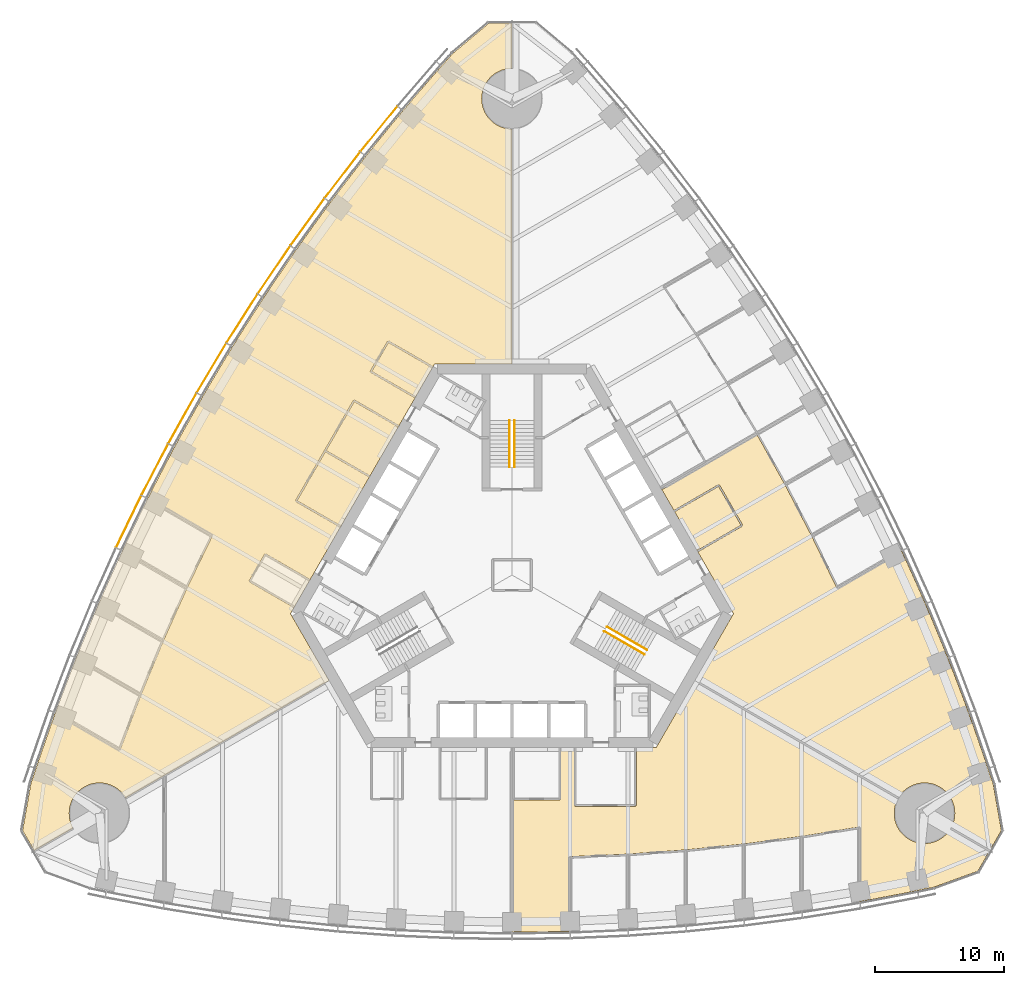
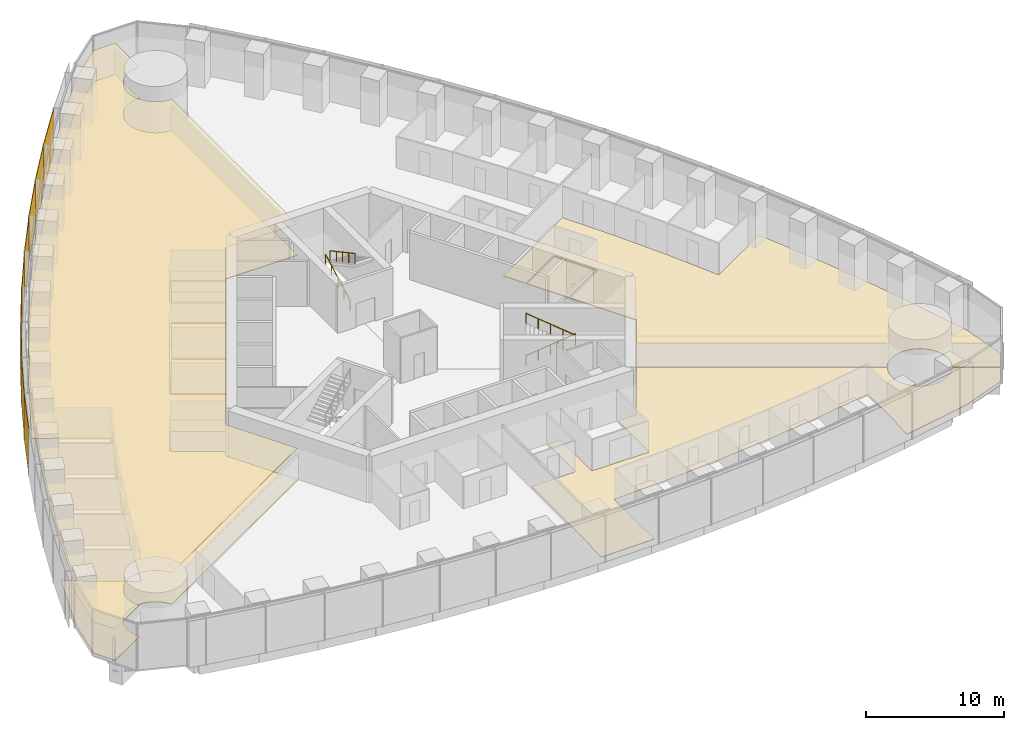
# One storey, part 16 of 19: 9 shading devices, 8 coverings, 4 railings.
"""IFC4 building model written with IfcOpenShell, lengths in metres."""

from ifc_helpers import new_model, si_unit, direction, frame, origin, origin_2d, place, context, subcontext, project, spatial, polyline, rectangle, circle, outline, extrude, material, layer, layer_set, type_object, element, save


model = new_model("IFC4")

# Units and contexts
model_context = context("Model", 3, precision=1e-05, world=origin(), true_north=direction((0.0, 1.0)))
body_context = subcontext(model_context, "Body", "Model", "MODEL_VIEW")
ifc_project = project(units=[si_unit("LENGTHUNIT", "METRE"), si_unit("AREAUNIT", "SQUARE_METRE"), si_unit("VOLUMEUNIT", "CUBIC_METRE"), si_unit("PLANEANGLEUNIT", "RADIAN"), si_unit("MASSUNIT", "GRAM", prefix="KILO")], contexts=[model_context])

# Site, building, storey
site_placement = place(None, origin())
site = spatial("IfcSite", under=ifc_project, at=site_placement, CompositionType="ELEMENT")
building_placement = place(site_placement, origin())
building = spatial("IfcBuilding", under=site, at=building_placement, Name="Trefoil Bronze Tower", CompositionType="ELEMENT")
storey_placement = place(building_placement, frame((0.0, 0.0, 45.89990234375)))
storey = spatial("IfcBuildingStorey", under=building, at=storey_placement, Name="L10", CompositionType="ELEMENT", Elevation=45.89990234375)

# Shading devices
ifc_material_1 = material(Name="Perforated bronze sheet", Category="bronze")
ifc_layer_1 = layer(ifc_material_1, 0.0400390625)
ifc_layer_set_1 = layer_set([ifc_layer_1], Name="Bronze solar screen panel")
shading_device_type = type_object("IfcShadingDeviceType", Name="Bronze solar screen panel", PredefinedType="SHUTTER", material=ifc_layer_set_1)
shading_device_1_placement = place(storey_placement, frame((-10.338623046875, 34.6474609375, 0.050048828125), z_axis=(0.0, 0.0, 1.0), x_axis=(-0.631810729457, -0.775122701346, 0.0)))
element("IfcShadingDevice", 1, at=shading_device_1_placement, inside=storey, type_object=shading_device_type, Name="Solar screen CW-A L10 F3 bay 3", PredefinedType="SHUTTER", context=body_context, shape_type="SweptSolid", body=[
    extrude(rectangle(XDim=4.5283203125, YDim=0.0400390625, at=origin_2d()), origin(), (0.0, 0.0, 1.0), 4.10009765625),
])
shading_device_2_placement = place(storey_placement, frame((-13.170166015625, 31.06787109375, 0.050048828125), z_axis=(0.0, 0.0, 1.0), x_axis=(-0.608807670879, -0.793317855515, 0.0)))
element("IfcShadingDevice", 2, at=shading_device_2_placement, inside=storey, type_object=shading_device_type, Name="Solar screen CW-A L10 F3 bay 4", PredefinedType="SHUTTER", context=body_context, shape_type="SweptSolid", body=[
    extrude(rectangle(XDim=4.5087890625, YDim=0.0400390625, at=origin_2d()), origin(), (0.0, 0.0, 1.0), 4.10009765625),
])
shading_device_3_placement = place(storey_placement, frame((-15.88525390625, 27.421142578125, 0.050048828125), z_axis=(0.0, 0.0, 1.0), x_axis=(-0.585372522213, -0.810764460394, 0.0)))
element("IfcShadingDevice", 3, at=shading_device_3_placement, inside=storey, type_object=shading_device_type, Name="Solar screen CW-A L10 F3 bay 5", PredefinedType="SHUTTER", context=body_context, shape_type="SweptSolid", body=[
    extrude(rectangle(XDim=4.493408203125, YDim=0.0400390625, at=origin_2d()), origin(), (0.0, 0.0, 1.0), 4.10009765625),
])
shading_device_4_placement = place(storey_placement, frame((-18.48486328125, 23.707763671875, 0.050048828125), z_axis=(0.0, 0.0, 1.0), x_axis=(-0.56150968077, -0.827470167681, 0.0)))
element("IfcShadingDevice", 4, at=shading_device_4_placement, inside=storey, type_object=shading_device_type, Name="Solar screen CW-A L10 F3 bay 6", PredefinedType="SHUTTER", context=body_context, shape_type="SweptSolid", body=[
    extrude(rectangle(XDim=4.48193359375, YDim=0.0400390625, at=origin_2d()), origin(), (0.0, 0.0, 1.0), 4.10009765625),
])
shading_device_5_placement = place(storey_placement, frame((-20.97021484375, 19.928466796875, 0.050048828125), z_axis=(0.0, 0.0, 1.0), x_axis=(-0.537222392469, -0.843440632783, 0.0)))
element("IfcShadingDevice", 5, at=shading_device_5_placement, inside=storey, type_object=shading_device_type, Name="Solar screen CW-A L10 F3 bay 7", PredefinedType="SHUTTER", context=body_context, shape_type="SweptSolid", body=[
    extrude(rectangle(XDim=4.474365234375, YDim=0.0400390625, at=origin_2d()), origin(), (0.0, 0.0, 1.0), 4.10009765625),
])
for number, where, z_axis, x_axis, name in (
    (6, (-23.341552734375, 16.083251953125, 0.050048828125), (0.0, 0.0, 1.0), (-0.51251279404, -0.858679588639, 0.0), "Solar screen CW-A L10 F3 bay 8"),
    (7, (-25.599365234375, 12.172607421875, 0.050048828125), (0.0, 0.0, 1.0), (-0.487381940453, -0.873188893722, 0.0), "Solar screen CW-A L10 F3 bay 9"),
):
    element("IfcShadingDevice", number, at=place(storey_placement, frame(where, z_axis=z_axis, x_axis=x_axis)), inside=storey, type_object=shading_device_type, Name=name, PredefinedType="SHUTTER", context=body_context, shape_type="SweptSolid", body=[
        extrude(rectangle(XDim=4.470458984375, YDim=0.0400390625, at=origin_2d()), origin(), (0.0, 0.0, 1.0), 4.10009765625),
    ])
shading_device_6_placement = place(storey_placement, frame((-27.74365234375, 8.1962890625, 0.050048828125), z_axis=(0.0, 0.0, 1.0), x_axis=(-0.46182981834, -0.886968555752, 0.0)))
element("IfcShadingDevice", 8, at=shading_device_6_placement, inside=storey, type_object=shading_device_type, Name="Solar screen CW-A L10 F3 bay 10", PredefinedType="SHUTTER", context=body_context, shape_type="SweptSolid", body=[
    extrude(rectangle(XDim=4.474365234375, YDim=0.0400390625, at=origin_2d()), origin(), (0.0, 0.0, 1.0), 4.10009765625),
])
shading_device_7_placement = place(storey_placement, frame((-29.77392578125, 4.154541015625, 0.050048828125), z_axis=(0.0, 0.0, 1.0), x_axis=(-0.4358553457, -0.900016731858, 0.0)))
element("IfcShadingDevice", 9, at=shading_device_7_placement, inside=storey, type_object=shading_device_type, Name="Solar screen CW-A L10 F3 bay 11", PredefinedType="SHUTTER", context=body_context, shape_type="SweptSolid", body=[
    extrude(rectangle(XDim=4.48193359375, YDim=0.0400390625, at=origin_2d()), origin(), (0.0, 0.0, 1.0), 4.10009765625),
])

# Railings
ifc_material_2 = material(Name="Steel handrail", Category="steel")
railing_type = type_object("IfcRailingType", Name="Handrail 900", PredefinedType="HANDRAIL", material=ifc_material_2)
railing_1_placement = place(storey_placement, frame((7.365966796875, -4.021728515625, 0.16162109375)))
element("IfcRailing", 10, at=railing_1_placement, inside=storey, type_object=railing_type, Name="Handrail ST1 flight 1 L10", PredefinedType="HANDRAIL", context=body_context, shape_type="SweptSolid", body=[
    extrude(circle(Radius=0.02392578125, at=origin_2d()), frame((0.0, 0.0, 0.8759765625), z_axis=(0.76250339821, -0.440245697338, 0.474101564745), x_axis=(0.500012057535, 0.866018442252, 0.0)), (0.0, 0.0, 1.0), 4.088623046875),
    extrude(circle(Radius=0.02099609375, at=origin_2d()), origin(), (0.0, 0.0, 1.0), 0.851806640625),
    extrude(circle(Radius=0.02099609375, at=origin_2d()), frame((0.779296875, -0.449951171875, 0.484619140625)), (0.0, 0.0, 1.0), 0.851806640625),
    extrude(circle(Radius=0.02099609375, at=origin_2d()), frame((1.558837890625, -0.89990234375, 0.96923828125)), (0.0, 0.0, 1.0), 0.851806640625),
    extrude(circle(Radius=0.02099609375, at=origin_2d()), frame((2.33837890625, -1.35009765625, 1.453857421875)), (0.0, 0.0, 1.0), 0.851806640625),
    extrude(circle(Radius=0.02099609375, at=origin_2d()), frame((3.11767578125, -1.800048828125, 1.9384765625)), (0.0, 0.0, 1.0), 0.851806640625),
])
railing_2_placement = place(storey_placement, frame((10.28369140625, -6.168212890625, 2.26171875)))
element("IfcRailing", 11, at=railing_2_placement, inside=storey, type_object=railing_type, Name="Handrail ST1 flight 2 L10", PredefinedType="HANDRAIL", context=body_context, shape_type="SweptSolid", body=[
    extrude(circle(Radius=0.02392578125, at=origin_2d()), frame((0.0, 0.0, 0.8759765625), z_axis=(-0.76250339821, 0.440245697338, 0.474101564745), x_axis=(-0.500012057535, -0.866018442252, 0.0)), (0.0, 0.0, 1.0), 4.088623046875),
    extrude(circle(Radius=0.02099609375, at=origin_2d()), origin(), (0.0, 0.0, 1.0), 0.851806640625),
    extrude(circle(Radius=0.02099609375, at=origin_2d()), frame((-0.779296875, 0.449951171875, 0.484619140625)), (0.0, 0.0, 1.0), 0.851806640625),
    extrude(circle(Radius=0.02099609375, at=origin_2d()), frame((-1.558837890625, 0.89990234375, 0.96923828125)), (0.0, 0.0, 1.0), 0.851806640625),
    extrude(circle(Radius=0.02099609375, at=origin_2d()), frame((-2.33837890625, 1.35009765625, 1.453857421875)), (0.0, 0.0, 1.0), 0.851806640625),
    extrude(circle(Radius=0.02099609375, at=origin_2d()), frame((-3.11767578125, 1.800048828125, 1.9384765625)), (0.0, 0.0, 1.0), 0.851806640625),
])
railing_3_placement = place(storey_placement, frame((-0.199951171875, 8.389892578125, 0.16162109375)))
element("IfcRailing", 12, at=railing_3_placement, inside=storey, type_object=railing_type, Name="Handrail ST2 flight 1 L10", PredefinedType="HANDRAIL", context=body_context, shape_type="SweptSolid", body=[
    extrude(circle(Radius=0.02392578125, at=origin_2d()), frame((0.0, 0.0, 0.8759765625), z_axis=(0.0, 0.880474934443, 0.474092701714), x_axis=(-1.0, 0.0, 0.0)), (0.0, 0.0, 1.0), 4.0888671875),
    extrude(circle(Radius=0.02099609375, at=origin_2d()), origin(), (0.0, 0.0, 1.0), 0.851806640625),
    extrude(circle(Radius=0.02099609375, at=origin_2d()), frame((0.0, 0.89990234375, 0.484619140625)), (0.0, 0.0, 1.0), 0.851806640625),
    extrude(circle(Radius=0.02099609375, at=origin_2d()), frame((0.0, 1.800048828125, 0.96923828125)), (0.0, 0.0, 1.0), 0.851806640625),
    extrude(circle(Radius=0.02099609375, at=origin_2d()), frame((0.0, 2.7001953125, 1.453857421875)), (0.0, 0.0, 1.0), 0.851806640625),
    extrude(circle(Radius=0.02099609375, at=origin_2d()), frame((0.0, 3.60009765625, 1.9384765625)), (0.0, 0.0, 1.0), 0.851806640625),
])
railing_4_placement = place(storey_placement, frame((0.199951171875, 11.989990234375, 2.26171875)))
element("IfcRailing", 13, at=railing_4_placement, inside=storey, type_object=railing_type, Name="Handrail ST2 flight 2 L10", PredefinedType="HANDRAIL", context=body_context, shape_type="SweptSolid", body=[
    extrude(circle(Radius=0.02392578125, at=origin_2d()), frame((0.0, 0.0, 0.8759765625), z_axis=(0.0, -0.880474934443, 0.474092701714), x_axis=(1.0, 0.0, 0.0)), (0.0, 0.0, 1.0), 4.0888671875),
    extrude(circle(Radius=0.02099609375, at=origin_2d()), origin(), (0.0, 0.0, 1.0), 0.851806640625),
    extrude(circle(Radius=0.02099609375, at=origin_2d()), frame((0.0, -0.89990234375, 0.484619140625)), (0.0, 0.0, 1.0), 0.851806640625),
    extrude(circle(Radius=0.02099609375, at=origin_2d()), frame((0.0, -1.800048828125, 0.96923828125)), (0.0, 0.0, 1.0), 0.851806640625),
    extrude(circle(Radius=0.02099609375, at=origin_2d()), frame((0.0, -2.7001953125, 1.453857421875)), (0.0, 0.0, 1.0), 0.851806640625),
    extrude(circle(Radius=0.02099609375, at=origin_2d()), frame((0.0, -3.60009765625, 1.9384765625)), (0.0, 0.0, 1.0), 0.851806640625),
])

# Coverings
ifc_material_3 = material(Name="Acoustic ceiling panels", Category="mineral fibre")
ifc_layer_2 = layer(ifc_material_3, 0.02001953125)
ifc_layer_set_2 = layer_set([ifc_layer_2], Name="Office ceiling 20")
covering_type_1 = type_object("IfcCoveringType", Name="Office ceiling 20", PredefinedType="CEILING", material=ifc_layer_set_2)
covering_1_placement = place(storey_placement, frame((0.0, 0.0, 2.900146484375)))
element("IfcCovering", 14, at=covering_1_placement, inside=storey, type_object=covering_type_1, Name="Ceiling L10 Open-plan office F3", PredefinedType="CEILING", context=body_context, shape_type="SweptSolid", body=[
    extrude(outline(polyline([(-36.9814453125, -15.021728515625), (-35.47998046875, -10.6923828125), (-33.860107421875, -6.431640625), (-32.123291015625, -2.23828125), (-30.271240234375, 1.888671875), (-28.3046875, 5.949462890625), (-26.224609375, 9.944580078125), (-24.031005859375, 13.87451171875), (-21.724609375, 17.73876953125), (-19.3046875, 21.537841796875), (-16.771240234375, 25.271484375), (-14.123291015625, 28.938720703125), (-11.360107421875, 32.53955078125), (-8.47998046875, 36.072998046875), (-5.4814453125, 39.537841796875), (-4.618896484375, 40.497314453125), (-1.82421875, 42.84228515625), (-0.01611328125, 42.84228515625), (-0.014892578125, 39.349609375), (-0.115234375, 39.34716796875), (-0.230224609375, 39.338623046875), (-0.3447265625, 39.32470703125), (-0.45849609375, 39.3046875), (-0.571044921875, 39.279541015625), (-0.68212890625, 39.248779296875), (-0.791748046875, 39.212646484375), (-0.8994140625, 39.171142578125), (-1.0048828125, 39.12451171875), (-1.10791015625, 39.072509765625), (-1.2080078125, 39.015625), (-1.3056640625, 38.9541015625), (-1.39990234375, 38.887451171875), (-1.49072265625, 38.816650390625), (-1.578125, 38.7412109375), (-1.66162109375, 38.66162109375), (-1.7412109375, 38.578125), (-1.816650390625, 38.49072265625), (-1.887451171875, 38.39990234375), (-1.9541015625, 38.3056640625), (-2.015625, 38.2080078125), (-2.072509765625, 38.10791015625), (-2.12451171875, 38.0048828125), (-2.171142578125, 37.8994140625), (-2.212646484375, 37.791748046875), (-2.248779296875, 37.68212890625), (-2.279541015625, 37.571044921875), (-2.3046875, 37.45849609375), (-2.32470703125, 37.3447265625), (-2.338623046875, 37.230224609375), (-2.34716796875, 37.115234375), (-2.35009765625, 37.0), (-2.34716796875, 36.884765625), (-2.338623046875, 36.769775390625), (-2.32470703125, 36.6552734375), (-2.3046875, 36.54150390625), (-2.279541015625, 36.428955078125), (-2.248779296875, 36.31787109375), (-2.212646484375, 36.208251953125), (-2.171142578125, 36.1005859375), (-2.12451171875, 35.9951171875), (-2.072509765625, 35.89208984375), (-2.015625, 35.7919921875), (-1.9541015625, 35.6943359375), (-1.887451171875, 35.60009765625), (-1.816650390625, 35.50927734375), (-1.7412109375, 35.421875), (-1.66162109375, 35.33837890625), (-1.578125, 35.2587890625), (-1.49072265625, 35.183349609375), (-1.39990234375, 35.112548828125), (-1.3056640625, 35.0458984375), (-1.2080078125, 34.984375), (-1.10791015625, 34.927490234375), (-1.0048828125, 34.87548828125), (-0.8994140625, 34.828857421875), (-0.791748046875, 34.787353515625), (-0.68212890625, 34.751220703125), (-0.571044921875, 34.720458984375), (-0.45849609375, 34.6953125), (-0.3447265625, 34.67529296875), (-0.230224609375, 34.661376953125), (-0.115234375, 34.65283203125), (-0.012939453125, 34.650390625), (-0.006103515625, 16.39990234375), (-6.00439453125, 16.39990234375), (-17.205078125, -3.0), (-14.205810546875, -8.194580078125), (-30.0146484375, -17.31396484375), (-30.02734375, -17.2919921875), (-30.089111328125, -17.1943359375), (-30.155517578125, -17.10009765625), (-30.226318359375, -17.00927734375), (-30.3017578125, -16.921875), (-30.381103515625, -16.83837890625), (-30.46484375, -16.7587890625), (-30.552001953125, -16.683349609375), (-30.64306640625, -16.612548828125), (-30.7373046875, -16.5458984375), (-30.834716796875, -16.484375), (-30.935302734375, -16.427490234375), (-31.0380859375, -16.37548828125), (-31.1435546875, -16.328857421875), (-31.251220703125, -16.287353515625), (-31.36083984375, -16.251220703125), (-31.471923828125, -16.220458984375), (-31.58447265625, -16.1953125), (-31.697998046875, -16.17529296875), (-31.8125, -16.161376953125), (-31.927490234375, -16.15283203125), (-32.04296875, -16.14990234375), (-32.158203125, -16.15283203125), (-32.273193359375, -16.161376953125), (-32.3876953125, -16.17529296875), (-32.50146484375, -16.1953125), (-32.614013671875, -16.220458984375), (-32.72509765625, -16.251220703125), (-32.834716796875, -16.287353515625), (-32.942138671875, -16.328857421875), (-33.047607421875, -16.37548828125), (-33.150634765625, -16.427490234375), (-33.251220703125, -16.484375), (-33.348388671875, -16.5458984375), (-33.44287109375, -16.612548828125), (-33.53369140625, -16.683349609375), (-33.62109375, -16.7587890625), (-33.70458984375, -16.83837890625), (-33.7841796875, -16.921875), (-33.859619140625, -17.00927734375), (-33.930419921875, -17.10009765625), (-33.996826171875, -17.1943359375), (-34.05859375, -17.2919921875), (-34.115478515625, -17.39208984375), (-34.167236328125, -17.4951171875), (-34.214111328125, -17.6005859375), (-34.255615234375, -17.708251953125), (-34.291748046875, -17.81787109375), (-34.322509765625, -17.928955078125), (-34.347900390625, -18.04150390625), (-34.367431640625, -18.1552734375), (-34.381591796875, -18.269775390625), (-34.39013671875, -18.384765625), (-34.392822265625, -18.5), (-34.39013671875, -18.615234375), (-34.381591796875, -18.730224609375), (-34.367431640625, -18.8447265625), (-34.347900390625, -18.95849609375), (-34.322509765625, -19.071044921875), (-34.291748046875, -19.18212890625), (-34.255615234375, -19.291748046875), (-34.214111328125, -19.3994140625), (-34.167236328125, -19.5048828125), (-34.115478515625, -19.60791015625), (-34.084716796875, -19.661865234375), (-37.110595703125, -21.4072265625), (-38.0146484375, -19.841552734375), (-37.381103515625, -16.248779296875), (-36.9814453125, -15.021728515625)])), origin(), (0.0, 0.0, 1.0), 0.02001953125),
])
ifc_material_4 = material(Name="Raised access floor panels", Category="steel")
ifc_layer_3 = layer(ifc_material_4, 0.050048828125)
ifc_layer_set_3 = layer_set([ifc_layer_3], Name="Raised access floor 150")
covering_type_2 = type_object("IfcCoveringType", Name="Raised access floor 150", PredefinedType="FLOORING", material=ifc_layer_set_3)
covering_2_placement = place(storey_placement, frame((0.0, 0.0, 0.10009765625)))
element("IfcCovering", 15, at=covering_2_placement, inside=storey, type_object=covering_type_2, Name="Raised floor L10 Open-plan office F1", PredefinedType="FLOORING", context=body_context, shape_type="SweptSolid", body=[
    extrude(outline(polyline([(27.0, -23.77587890625), (27.06005859375, -23.77587890625), (27.06005859375, -19.63037109375), (27.0, -19.63037109375), (26.990478515625, -19.571044921875), (22.4912109375, -20.298583984375), (17.992919921875, -20.89111328125), (13.494873046875, -21.350341796875), (8.99658203125, -21.677490234375), (4.497314453125, -21.87353515625), (4.5, -21.933349609375), (4.43994140625, -21.933349609375), (4.43994140625, -26.102783203125), (4.5, -26.102783203125), (4.5, -27.683349609375), (0.0009765625, -27.748779296875), (0.0009765625, -26.168701171875), (0.074951171875, -26.168701171875), (0.074951171875, -17.39990234375), (0.125, -17.39990234375), (0.125, -17.4599609375), (3.72509765625, -17.4599609375), (3.72509765625, -17.39990234375), (3.784912109375, -17.39990234375), (3.784912109375, -13.39990234375), (4.840087890625, -13.39990234375), (4.840087890625, -17.89990234375), (4.89990234375, -17.89990234375), (4.89990234375, -17.9599609375), (9.60009765625, -17.9599609375), (9.60009765625, -17.89990234375), (9.659912109375, -17.89990234375), (9.659912109375, -13.39990234375), (11.20068359375, -13.39990234375), (14.19970703125, -8.205322265625), (30.001953125, -17.336669921875), (29.970458984375, -17.39208984375), (29.918701171875, -17.4951171875), (29.871826171875, -17.6005859375), (29.830322265625, -17.708251953125), (29.794189453125, -17.81787109375), (29.763427734375, -17.928955078125), (29.738037109375, -18.04150390625), (29.718505859375, -18.1552734375), (29.704345703125, -18.269775390625), (29.69580078125, -18.384765625), (29.69287109375, -18.5), (29.69580078125, -18.615234375), (29.704345703125, -18.730224609375), (29.718505859375, -18.8447265625), (29.738037109375, -18.95849609375), (29.763427734375, -19.071044921875), (29.794189453125, -19.18212890625), (29.830322265625, -19.291748046875), (29.871826171875, -19.3994140625), (29.918701171875, -19.5048828125), (29.970458984375, -19.60791015625), (30.02734375, -19.7080078125), (30.089111328125, -19.8056640625), (30.155517578125, -19.89990234375), (30.226318359375, -19.99072265625), (30.3017578125, -20.078125), (30.381103515625, -20.16162109375), (30.46484375, -20.2412109375), (30.552001953125, -20.316650390625), (30.64306640625, -20.387451171875), (30.7373046875, -20.4541015625), (30.834716796875, -20.515625), (30.935302734375, -20.572509765625), (31.0380859375, -20.62451171875), (31.1435546875, -20.671142578125), (31.251220703125, -20.712646484375), (31.36083984375, -20.748779296875), (31.471923828125, -20.779541015625), (31.58447265625, -20.8046875), (31.697998046875, -20.82470703125), (31.8125, -20.838623046875), (31.927490234375, -20.84716796875), (32.04296875, -20.85009765625), (32.158203125, -20.84716796875), (32.273193359375, -20.838623046875), (32.3876953125, -20.82470703125), (32.50146484375, -20.8046875), (32.614013671875, -20.779541015625), (32.72509765625, -20.748779296875), (32.834716796875, -20.712646484375), (32.942138671875, -20.671142578125), (33.047607421875, -20.62451171875), (33.150634765625, -20.572509765625), (33.251220703125, -20.515625), (33.348388671875, -20.4541015625), (33.44287109375, -20.387451171875), (33.53369140625, -20.316650390625), (33.62109375, -20.2412109375), (33.70458984375, -20.16162109375), (33.7841796875, -20.078125), (33.859619140625, -19.99072265625), (33.930419921875, -19.89990234375), (33.996826171875, -19.8056640625), (34.0703125, -19.6875), (37.094482421875, -21.43505859375), (36.190673828125, -23.0009765625), (32.762451171875, -24.248779296875), (31.5, -24.51611328125), (27.0, -25.38037109375), (27.0, -23.77587890625)])), origin(), (0.0, 0.0, 1.0), 0.050048828125),
])
covering_3_placement = place(storey_placement, frame((0.0, 0.0, 0.10009765625)))
element("IfcCovering", 16, at=covering_3_placement, inside=storey, type_object=covering_type_2, Name="Raised floor L10 Meeting room F2", PredefinedType="FLOORING", context=body_context, shape_type="SweptSolid", body=[
    extrude(outline(polyline([(12.634765625, 4.916015625), (16.046875, 6.885986328125), (17.786865234375, 3.872314453125), (14.374755859375, 1.902099609375), (12.634765625, 4.916015625)])), origin(), (0.0, 0.0, 1.0), 0.050048828125),
])
covering_4_placement = place(storey_placement, frame((0.0, 0.0, 0.10009765625)))
element("IfcCovering", 17, at=covering_4_placement, inside=storey, type_object=covering_type_2, Name="Raised floor L10 Open-plan office F2", PredefinedType="FLOORING", context=body_context, shape_type="SweptSolid", body=[
    extrude(outline(polyline([(14.434814453125, 1.79833984375), (17.898681640625, 3.79833984375), (17.868896484375, 3.850341796875), (17.9208984375, 3.88037109375), (16.120849609375, 6.997802734375), (16.06884765625, 6.968017578125), (16.038818359375, 7.02001953125), (12.57470703125, 5.02001953125), (11.605224609375, 6.69921875), (11.614013671875, 6.7041015625), (11.65087890625, 6.639892578125), (19.035888671875, 10.90380859375), (21.192138671875, 7.041015625), (23.271484375, 3.047607421875), (25.237548828125, -1.012451171875), (25.29150390625, -0.986328125), (25.321533203125, -1.038330078125), (28.927734375, 1.043701171875), (28.897705078125, 1.095703125), (30.271240234375, 1.888671875), (32.123291015625, -2.23828125), (33.860107421875, -6.431640625), (35.47998046875, -10.6923828125), (36.9814453125, -15.021728515625), (37.381103515625, -16.248779296875), (38.0146484375, -19.841552734375), (37.110595703125, -21.4072265625), (34.084716796875, -19.661865234375), (34.115478515625, -19.60791015625), (34.167236328125, -19.5048828125), (34.214111328125, -19.3994140625), (34.255615234375, -19.291748046875), (34.291748046875, -19.18212890625), (34.322509765625, -19.071044921875), (34.347900390625, -18.95849609375), (34.367431640625, -18.8447265625), (34.381591796875, -18.730224609375), (34.39013671875, -18.615234375), (34.392822265625, -18.5), (34.39013671875, -18.384765625), (34.381591796875, -18.269775390625), (34.367431640625, -18.1552734375), (34.347900390625, -18.04150390625), (34.322509765625, -17.928955078125), (34.291748046875, -17.81787109375), (34.255615234375, -17.708251953125), (34.214111328125, -17.6005859375), (34.167236328125, -17.4951171875), (34.115478515625, -17.39208984375), (34.05859375, -17.2919921875), (33.996826171875, -17.1943359375), (33.930419921875, -17.10009765625), (33.859619140625, -17.00927734375), (33.7841796875, -16.921875), (33.70458984375, -16.83837890625), (33.62109375, -16.7587890625), (33.53369140625, -16.683349609375), (33.44287109375, -16.612548828125), (33.348388671875, -16.5458984375), (33.251220703125, -16.484375), (33.150634765625, -16.427490234375), (33.047607421875, -16.37548828125), (32.942138671875, -16.328857421875), (32.834716796875, -16.287353515625), (32.72509765625, -16.251220703125), (32.614013671875, -16.220458984375), (32.50146484375, -16.1953125), (32.3876953125, -16.17529296875), (32.273193359375, -16.161376953125), (32.158203125, -16.15283203125), (32.04296875, -16.14990234375), (31.927490234375, -16.15283203125), (31.8125, -16.161376953125), (31.697998046875, -16.17529296875), (31.58447265625, -16.1953125), (31.471923828125, -16.220458984375), (31.36083984375, -16.251220703125), (31.251220703125, -16.287353515625), (31.1435546875, -16.328857421875), (31.0380859375, -16.37548828125), (30.935302734375, -16.427490234375), (30.834716796875, -16.484375), (30.7373046875, -16.5458984375), (30.64306640625, -16.612548828125), (30.552001953125, -16.683349609375), (30.46484375, -16.7587890625), (30.381103515625, -16.83837890625), (30.3017578125, -16.921875), (30.226318359375, -17.00927734375), (30.155517578125, -17.10009765625), (30.089111328125, -17.1943359375), (30.02734375, -17.2919921875), (30.0146484375, -17.31396484375), (14.205810546875, -8.194580078125), (17.205078125, -3.0), (14.434814453125, 1.79833984375)])), origin(), (0.0, 0.0, 1.0), 0.050048828125),
])
covering_5_placement = place(storey_placement, frame((0.0, 0.0, 0.10009765625)))
element("IfcCovering", 18, at=covering_5_placement, inside=storey, type_object=covering_type_2, Name="Raised floor L10 Project room F3", PredefinedType="FLOORING", context=body_context, shape_type="SweptSolid", body=[
    extrude(outline(polyline([(-11.024658203125, 7.70458984375), (-14.43701171875, 9.674560546875), (-12.246826171875, 13.4677734375), (-8.834716796875, 11.497802734375), (-11.024658203125, 7.70458984375)])), origin(), (0.0, 0.0, 1.0), 0.050048828125),
])
covering_6_placement = place(storey_placement, frame((0.0, 0.0, 0.10009765625)))
element("IfcCovering", 19, at=covering_6_placement, inside=storey, type_object=covering_type_2, Name="Raised floor L10 Project room F3", PredefinedType="FLOORING", context=body_context, shape_type="SweptSolid", body=[
    extrude(outline(polyline([(-13.274658203125, 3.8076171875), (-16.68701171875, 5.777587890625), (-14.496826171875, 9.57080078125), (-11.084716796875, 7.6005859375), (-13.274658203125, 3.8076171875)])), origin(), (0.0, 0.0, 1.0), 0.050048828125),
])
covering_7_placement = place(storey_placement, frame((0.0, 0.0, 0.10009765625)))
element("IfcCovering", 20, at=covering_7_placement, inside=storey, type_object=covering_type_2, Name="Raised floor L10 Pantry F3", PredefinedType="FLOORING", context=body_context, shape_type="SweptSolid", body=[
    extrude(outline(polyline([(-7.474609375, 13.853515625), (-10.886962890625, 15.823486328125), (-9.596923828125, 18.0576171875), (-6.184814453125, 16.087646484375), (-7.474609375, 13.853515625)])), origin(), (0.0, 0.0, 1.0), 0.050048828125),
])
covering_8_placement = place(storey_placement, frame((0.0, 0.0, 0.10009765625)))
element("IfcCovering", 21, at=covering_8_placement, inside=storey, type_object=covering_type_2, Name="Raised floor L10 Open-plan office F3", PredefinedType="FLOORING", context=body_context, shape_type="SweptSolid", body=[
    extrude(outline(polyline([(-36.9814453125, -15.021728515625), (-35.47998046875, -10.6923828125), (-34.090576171875, -11.49462890625), (-34.12060546875, -11.546630859375), (-30.530517578125, -13.619384765625), (-30.50048828125, -13.5673828125), (-30.4443359375, -13.5888671875), (-28.82470703125, -9.328857421875), (-27.088623046875, -5.136962890625), (-25.2373046875, -1.01171875), (-23.27099609375, 3.04833984375), (-23.3251953125, 3.074462890625), (-23.295166015625, 3.12646484375), (-26.904052734375, 5.210205078125), (-26.93408203125, 5.158203125), (-28.3046875, 5.949462890625), (-26.224609375, 9.944580078125), (-24.031005859375, 13.87451171875), (-21.724609375, 17.73876953125), (-19.3046875, 21.537841796875), (-16.771240234375, 25.271484375), (-14.123291015625, 28.938720703125), (-11.360107421875, 32.53955078125), (-8.47998046875, 36.072998046875), (-5.4814453125, 39.537841796875), (-4.618896484375, 40.497314453125), (-1.82421875, 42.84228515625), (-0.01611328125, 42.84228515625), (-0.014892578125, 39.349609375), (-0.115234375, 39.34716796875), (-0.230224609375, 39.338623046875), (-0.3447265625, 39.32470703125), (-0.45849609375, 39.3046875), (-0.571044921875, 39.279541015625), (-0.68212890625, 39.248779296875), (-0.791748046875, 39.212646484375), (-0.8994140625, 39.171142578125), (-1.0048828125, 39.12451171875), (-1.10791015625, 39.072509765625), (-1.2080078125, 39.015625), (-1.3056640625, 38.9541015625), (-1.39990234375, 38.887451171875), (-1.49072265625, 38.816650390625), (-1.578125, 38.7412109375), (-1.66162109375, 38.66162109375), (-1.7412109375, 38.578125), (-1.816650390625, 38.49072265625), (-1.887451171875, 38.39990234375), (-1.9541015625, 38.3056640625), (-2.015625, 38.2080078125), (-2.072509765625, 38.10791015625), (-2.12451171875, 38.0048828125), (-2.171142578125, 37.8994140625), (-2.212646484375, 37.791748046875), (-2.248779296875, 37.68212890625), (-2.279541015625, 37.571044921875), (-2.3046875, 37.45849609375), (-2.32470703125, 37.3447265625), (-2.338623046875, 37.230224609375), (-2.34716796875, 37.115234375), (-2.35009765625, 37.0), (-2.34716796875, 36.884765625), (-2.338623046875, 36.769775390625), (-2.32470703125, 36.6552734375), (-2.3046875, 36.54150390625), (-2.279541015625, 36.428955078125), (-2.248779296875, 36.31787109375), (-2.212646484375, 36.208251953125), (-2.171142578125, 36.1005859375), (-2.12451171875, 35.9951171875), (-2.072509765625, 35.89208984375), (-2.015625, 35.7919921875), (-1.9541015625, 35.6943359375), (-1.887451171875, 35.60009765625), (-1.816650390625, 35.50927734375), (-1.7412109375, 35.421875), (-1.66162109375, 35.33837890625), (-1.578125, 35.2587890625), (-1.49072265625, 35.183349609375), (-1.39990234375, 35.112548828125), (-1.3056640625, 35.0458984375), (-1.2080078125, 34.984375), (-1.10791015625, 34.927490234375), (-1.0048828125, 34.87548828125), (-0.8994140625, 34.828857421875), (-0.791748046875, 34.787353515625), (-0.68212890625, 34.751220703125), (-0.571044921875, 34.720458984375), (-0.45849609375, 34.6953125), (-0.3447265625, 34.67529296875), (-0.230224609375, 34.661376953125), (-0.115234375, 34.65283203125), (-0.012939453125, 34.650390625), (-0.006103515625, 16.39990234375), (-6.00439453125, 16.39990234375), (-6.124755859375, 16.191650390625), (-9.5888671875, 18.191650390625), (-9.618896484375, 18.1396484375), (-9.6708984375, 18.169677734375), (-11.020751953125, 15.831298828125), (-10.96875, 15.801513671875), (-10.998779296875, 15.74951171875), (-7.53466796875, 13.74951171875), (-8.774658203125, 11.601806640625), (-12.23876953125, 13.601806640625), (-12.268798828125, 13.5498046875), (-12.32080078125, 13.57958984375), (-16.82080078125, 5.785400390625), (-16.768798828125, 5.755615234375), (-16.798828125, 5.70361328125), (-13.334716796875, 3.70361328125), (-15.6748046875, -0.349365234375), (-19.138916015625, 1.650634765625), (-19.168701171875, 1.5986328125), (-19.220703125, 1.628662109375), (-20.4208984375, -0.449951171875), (-20.368896484375, -0.47998046875), (-20.398681640625, -0.53173828125), (-16.934814453125, -2.53173828125), (-17.205078125, -3.0), (-14.205810546875, -8.194580078125), (-30.0146484375, -17.31396484375), (-30.02734375, -17.2919921875), (-30.089111328125, -17.1943359375), (-30.155517578125, -17.10009765625), (-30.226318359375, -17.00927734375), (-30.3017578125, -16.921875), (-30.381103515625, -16.83837890625), (-30.46484375, -16.7587890625), (-30.552001953125, -16.683349609375), (-30.64306640625, -16.612548828125), (-30.7373046875, -16.5458984375), (-30.834716796875, -16.484375), (-30.935302734375, -16.427490234375), (-31.0380859375, -16.37548828125), (-31.1435546875, -16.328857421875), (-31.251220703125, -16.287353515625), (-31.36083984375, -16.251220703125), (-31.471923828125, -16.220458984375), (-31.58447265625, -16.1953125), (-31.697998046875, -16.17529296875), (-31.8125, -16.161376953125), (-31.927490234375, -16.15283203125), (-32.04296875, -16.14990234375), (-32.158203125, -16.15283203125), (-32.273193359375, -16.161376953125), (-32.3876953125, -16.17529296875), (-32.50146484375, -16.1953125), (-32.614013671875, -16.220458984375), (-32.72509765625, -16.251220703125), (-32.834716796875, -16.287353515625), (-32.942138671875, -16.328857421875), (-33.047607421875, -16.37548828125), (-33.150634765625, -16.427490234375), (-33.251220703125, -16.484375), (-33.348388671875, -16.5458984375), (-33.44287109375, -16.612548828125), (-33.53369140625, -16.683349609375), (-33.62109375, -16.7587890625), (-33.70458984375, -16.83837890625), (-33.7841796875, -16.921875), (-33.859619140625, -17.00927734375), (-33.930419921875, -17.10009765625), (-33.996826171875, -17.1943359375), (-34.05859375, -17.2919921875), (-34.115478515625, -17.39208984375), (-34.167236328125, -17.4951171875), (-34.214111328125, -17.6005859375), (-34.255615234375, -17.708251953125), (-34.291748046875, -17.81787109375), (-34.322509765625, -17.928955078125), (-34.347900390625, -18.04150390625), (-34.367431640625, -18.1552734375), (-34.381591796875, -18.269775390625), (-34.39013671875, -18.384765625), (-34.392822265625, -18.5), (-34.39013671875, -18.615234375), (-34.381591796875, -18.730224609375), (-34.367431640625, -18.8447265625), (-34.347900390625, -18.95849609375), (-34.322509765625, -19.071044921875), (-34.291748046875, -19.18212890625), (-34.255615234375, -19.291748046875), (-34.214111328125, -19.3994140625), (-34.167236328125, -19.5048828125), (-34.115478515625, -19.60791015625), (-34.084716796875, -19.661865234375), (-37.110595703125, -21.4072265625), (-38.0146484375, -19.841552734375), (-37.381103515625, -16.248779296875), (-36.9814453125, -15.021728515625)])), origin(), (0.0, 0.0, 1.0), 0.050048828125),
])

save(model, "model.ifc")
